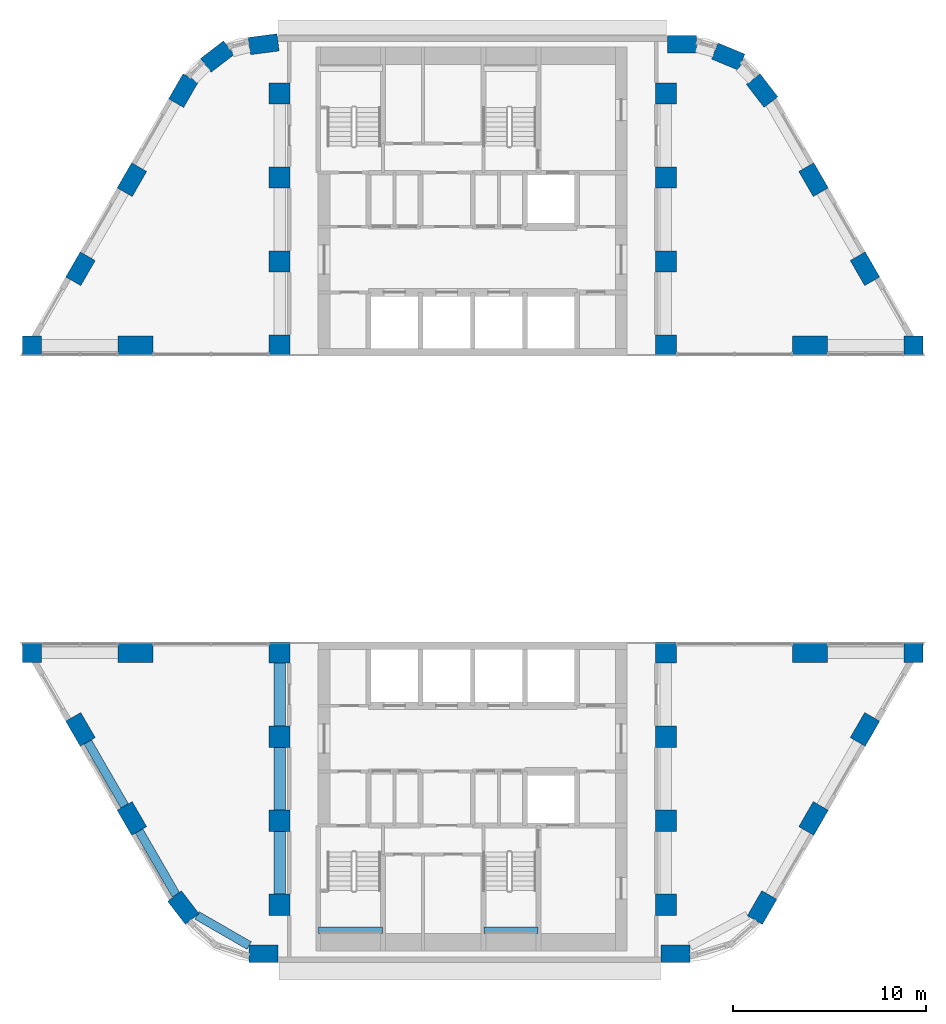
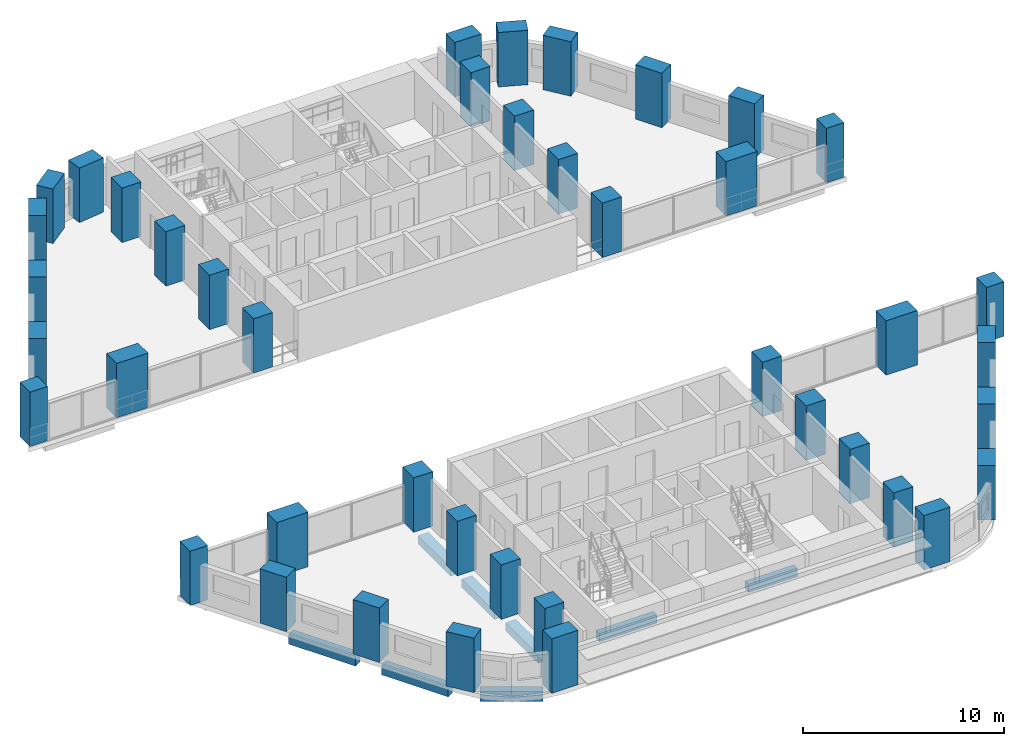
# One storey, part 1 of 11: 42 columns, 8 beams.
"""IFC4 building model written with IfcOpenShell, lengths in metres."""

from ifc_helpers import new_model, si_unit, direction, frame, origin, origin_2d, place, context, subcontext, project, spatial, rectangle, extrude, material, material_profile, profile_set, type_object, element, save


model = new_model("IFC4")

# Units and contexts
model_context = context("Model", 3, precision=1e-05, world=origin(), true_north=direction((0.0, 1.0)))
body_context = subcontext(model_context, "Body", "Model", "MODEL_VIEW")
ifc_project = project(units=[si_unit("LENGTHUNIT", "METRE"), si_unit("AREAUNIT", "SQUARE_METRE"), si_unit("VOLUMEUNIT", "CUBIC_METRE"), si_unit("PLANEANGLEUNIT", "RADIAN"), si_unit("MASSUNIT", "GRAM", prefix="KILO")], contexts=[model_context])

# Site, building, storey
site_placement = place(None, origin())
site = spatial("IfcSite", under=ifc_project, at=site_placement, CompositionType="ELEMENT")
building_placement = place(site_placement, origin())
building = spatial("IfcBuilding", under=site, at=building_placement, Name="Nakaniwa Court", CompositionType="ELEMENT")
storey_placement = place(building_placement, frame((0.0, 0.0, 34.800048828125)))
storey = spatial("IfcBuildingStorey", under=building, at=storey_placement, Name="L08", CompositionType="ELEMENT", Elevation=34.800048828125)

# Columns
ifc_material_1 = material(Name="Concrete C100/115", Category="concrete")
ifc_material_profile_1 = material_profile(ifc_material_1, rectangle(XDim=1.0, YDim=1.0, at=origin_2d()), Name="Concrete C100/115 RC 1000x1000 portal edge column")
ifc_profile_set_1 = profile_set([ifc_material_profile_1], Name="Concrete C100/115")
column_type_1 = type_object("IfcColumnType", Name="Concrete C100/115 RC 1000x1000 portal edge column", PredefinedType="COLUMN", material=ifc_profile_set_1)
for number, where, z_axis, x_axis, name in (
    (1, (102.822998046875, 87.949951171875, 0.0), (0.0, 0.0, 1.0), (1.0, 0.0, 0.0), "COLUMN CP-03"),
    (2, (102.822998046875, 72.050048828125, 0.0), (0.0, 0.0, 1.0), (1.0, 0.0, 0.0), "COLUMN CP-04"),
    (3, (57.177001953125, 87.949951171875, 0.0), (0.0, 0.0, 1.0), (1.0, 0.0, 0.0), "COLUMN CP-11"),
    (4, (57.177001953125, 72.050048828125, 0.0), (0.0, 0.0, 1.0), (1.0, 0.0, 0.0), "COLUMN CP-12"),
):
    element("IfcColumn", number, at=place(storey_placement, frame(where, z_axis=z_axis, x_axis=x_axis)), inside=storey, type_object=column_type_1, Name=name, PredefinedType="COLUMN", context=body_context, shape_type="SweptSolid", body=[
        extrude(rectangle(XDim=1.0, YDim=1.0, at=origin_2d()), origin(), (0.0, 0.0, 1.0), 3.300048828125),
    ])
ifc_material_profile_2 = material_profile(ifc_material_1, rectangle(XDim=1.10009765625, YDim=1.10009765625, at=origin_2d()), Name="Concrete C100/115 RC 1100x1100 spine column")
ifc_profile_set_2 = profile_set([ifc_material_profile_2], Name="Concrete C100/115")
column_type_2 = type_object("IfcColumnType", Name="Concrete C100/115 RC 1100x1100 spine column", PredefinedType="COLUMN", material=ifc_profile_set_2)
for number, where, z_axis, x_axis, name in (
    (5, (90.0, 59.0, 0.0), (0.0, 0.0, 1.0), (0.0, 1.0, 0.0), "COLUMN CS-01"),
    (6, (90.0, 63.35009765625, 0.0), (0.0, 0.0, 1.0), (0.0, 1.0, 0.0), "COLUMN CS-02"),
    (7, (90.0, 67.699951171875, 0.0), (0.0, 0.0, 1.0), (0.0, 1.0, 0.0), "COLUMN CS-03"),
    (8, (90.0, 72.050048828125, 0.0), (0.0, 0.0, 1.0), (0.0, 1.0, 0.0), "COLUMN CS-04"),
    (9, (90.0, 87.949951171875, 0.0), (0.0, 0.0, 1.0), (0.0, 1.0, 0.0), "COLUMN CS-07"),
    (10, (90.0, 92.300048828125, 0.0), (0.0, 0.0, 1.0), (0.0, 1.0, 0.0), "COLUMN CS-08"),
    (11, (90.0, 96.64990234375, 0.0), (0.0, 0.0, 1.0), (0.0, 1.0, 0.0), "COLUMN CS-09"),
    (12, (90.0, 101.0, 0.0), (0.0, 0.0, 1.0), (0.0, 1.0, 0.0), "COLUMN CS-10"),
    (13, (70.0, 101.0, 0.0), (0.0, 0.0, 1.0), (0.0, -1.0, 0.0), "COLUMN CS-11"),
    (14, (70.0, 96.64990234375, 0.0), (0.0, 0.0, 1.0), (0.0, -1.0, 0.0), "COLUMN CS-12"),
    (15, (70.0, 92.300048828125, 0.0), (0.0, 0.0, 1.0), (0.0, -1.0, 0.0), "COLUMN CS-13"),
    (16, (70.0, 87.949951171875, 0.0), (0.0, 0.0, 1.0), (0.0, -1.0, 0.0), "COLUMN CS-14"),
    (17, (70.0, 72.050048828125, 0.0), (0.0, 0.0, 1.0), (0.0, -1.0, 0.0), "COLUMN CS-17"),
    (18, (70.0, 67.699951171875, 0.0), (0.0, 0.0, 1.0), (0.0, -1.0, 0.0), "COLUMN CS-18"),
    (19, (70.0, 63.35009765625, 0.0), (0.0, 0.0, 1.0), (0.0, -1.0, 0.0), "COLUMN CS-19"),
    (20, (70.0, 59.0, 0.0), (0.0, 0.0, 1.0), (0.0, -1.0, 0.0), "COLUMN CS-20"),
):
    element("IfcColumn", number, at=place(storey_placement, frame(where, z_axis=z_axis, x_axis=x_axis)), inside=storey, type_object=column_type_2, Name=name, PredefinedType="COLUMN", context=body_context, shape_type="SweptSolid", body=[
        extrude(rectangle(XDim=1.10009765625, YDim=1.10009765625, at=origin_2d()), origin(), (0.0, 0.0, 1.0), 3.300048828125),
    ])
ifc_material_profile_3 = material_profile(ifc_material_1, rectangle(XDim=1.5, YDim=0.89990234375, at=origin_2d()), Name="Concrete C100/115 RC 1500x900 perimeter column")
ifc_profile_set_3 = profile_set([ifc_material_profile_3], Name="Concrete C100/115")
column_type_3 = type_object("IfcColumnType", Name="Concrete C100/115 RC 1500x900 perimeter column", PredefinedType="COLUMN", material=ifc_profile_set_3)
for number, where, z_axis, x_axis, name in (
    (21, (69.17529296875, 103.550048828125, 0.0), (0.0, 0.0, 1.0), (-0.991442583111, -0.130543496177, 0.0), "COLUMN CO-01"),
    (22, (66.772705078125, 102.91015625, 0.0), (0.0, 0.0, 1.0), (-0.793363965062, -0.608747582288, 0.0), "COLUMN CO-02"),
    (23, (65.017578125, 101.1494140625, 0.0), (0.0, 0.0, 1.0), (-0.5, -0.866025403784, 0.0), "COLUMN CO-03"),
    (24, (62.3544921875, 96.537109375, 0.0), (0.0, 0.0, 1.0), (-0.5, -0.866025403784, 0.0), "COLUMN CO-04"),
    (25, (59.691650390625, 91.9248046875, 0.0), (0.0, 0.0, 1.0), (-0.5, -0.866025403784, 0.0), "COLUMN CO-05"),
    (26, (59.691650390625, 68.0751953125, 0.0), (0.0, 0.0, 1.0), (0.5, -0.866025403784, 0.0), "COLUMN CO-14"),
    (27, (62.3544921875, 63.462890625, 0.0), (0.0, 0.0, 1.0), (0.5, -0.866025403784, 0.0), "COLUMN CO-15"),
    (28, (65.017578125, 58.8505859375, 0.0), (0.0, 0.0, 1.0), (0.608761429009, -0.793353340291, 0.0), "COLUMN CO-16"),
    (29, (69.17529296875, 56.449951171875, 0.0), (0.0, 0.0, 1.0), (1.0, 0.0, 0.0), "COLUMN CO-17"),
    (30, (90.507080078125, 56.449951171875, 0.0), (0.0, 0.0, 1.0), (1.0, 0.0, 0.0), "COLUMN CO-21"),
    (31, (94.982421875, 58.8505859375, 0.0), (0.0, 0.0, 1.0), (0.5, 0.866025403784, 0.0), "COLUMN CO-22"),
    (32, (97.6455078125, 63.462890625, 0.0), (0.0, 0.0, 1.0), (0.5, 0.866025403784, 0.0), "COLUMN CO-23"),
    (33, (100.308349609375, 68.0751953125, 0.0), (0.0, 0.0, 1.0), (0.5, 0.866025403784, 0.0), "COLUMN CO-24"),
    (34, (100.308349609375, 91.9248046875, 0.0), (0.0, 0.0, 1.0), (-0.5, 0.866025403784, 0.0), "COLUMN CO-33"),
    (35, (97.6455078125, 96.537109375, 0.0), (0.0, 0.0, 1.0), (-0.5, 0.866025403784, 0.0), "COLUMN CO-34"),
    (36, (94.982421875, 101.1494140625, 0.0), (0.0, 0.0, 1.0), (-0.608761429009, 0.793353340291, 0.0), "COLUMN CO-35"),
    (37, (93.227294921875, 102.91015625, 0.0), (0.0, 0.0, 1.0), (-0.923879532511, 0.382683432365, 0.0), "COLUMN CO-36"),
    (38, (90.82470703125, 103.550048828125, 0.0), (0.0, 0.0, 1.0), (-1.0, 0.0, 0.0), "COLUMN CO-37"),
):
    element("IfcColumn", number, at=place(storey_placement, frame(where, z_axis=z_axis, x_axis=x_axis)), inside=storey, type_object=column_type_3, Name=name, PredefinedType="COLUMN", context=body_context, shape_type="SweptSolid", body=[
        extrude(rectangle(XDim=1.5, YDim=0.89990234375, at=origin_2d()), origin(), (0.0, 0.0, 1.0), 3.300048828125),
    ])
ifc_material_profile_4 = material_profile(ifc_material_1, rectangle(XDim=1.800048828125, YDim=1.0, at=origin_2d()), Name="Concrete C100/115 RC 1800x1000 portal edge column")
ifc_profile_set_4 = profile_set([ifc_material_profile_4], Name="Concrete C100/115")
column_type_4 = type_object("IfcColumnType", Name="Concrete C100/115 RC 1800x1000 portal edge column", PredefinedType="COLUMN", material=ifc_profile_set_4)
for number, where, z_axis, x_axis, name in (
    (39, (97.4580078125, 87.949951171875, 0.0), (0.0, 0.0, 1.0), (1.0, 0.0, 0.0), "COLUMN CP-01"),
    (40, (97.4580078125, 72.050048828125, 0.0), (0.0, 0.0, 1.0), (1.0, 0.0, 0.0), "COLUMN CP-02"),
    (41, (62.5419921875, 87.949951171875, 0.0), (0.0, 0.0, 1.0), (1.0, 0.0, 0.0), "COLUMN CP-09"),
    (42, (62.5419921875, 72.050048828125, 0.0), (0.0, 0.0, 1.0), (1.0, 0.0, 0.0), "COLUMN CP-10"),
):
    element("IfcColumn", number, at=place(storey_placement, frame(where, z_axis=z_axis, x_axis=x_axis)), inside=storey, type_object=column_type_4, Name=name, PredefinedType="COLUMN", context=body_context, shape_type="SweptSolid", body=[
        extrude(rectangle(XDim=1.800048828125, YDim=1.0, at=origin_2d()), origin(), (0.0, 0.0, 1.0), 3.300048828125),
    ])

# Beams
ifc_material_profile_5 = material_profile(ifc_material_1, rectangle(XDim=0.449951171875, YDim=0.60009765625, at=origin_2d()), Name="Concrete C100/115 RC 450x600 spandrel beam")
ifc_profile_set_5 = profile_set([ifc_material_profile_5], Name="Concrete C100/115")
beam_type_1 = type_object("IfcBeamType", Name="Concrete C100/115 RC 450x600 spandrel beam", PredefinedType="BEAM", material=ifc_profile_set_5)
beam_1_placement = place(storey_placement, frame((60.066650390625, 67.42578125, -0.574951171875), z_axis=(0.499961815444, -0.866047448526, 0.0), x_axis=(0.866047448526, 0.499961815444, 0.0)))
element("IfcBeam", 43, at=beam_1_placement, inside=storey, type_object=beam_type_1, Name="SPANDREL BEAM", PredefinedType="BEAM", context=body_context, shape_type="SweptSolid", body=[
    extrude(rectangle(XDim=0.449951171875, YDim=0.60009765625, at=origin_2d()), origin(), (0.0, 0.0, 1.0), 3.825927734375),
])
beam_2_placement = place(storey_placement, frame((62.7294921875, 62.8134765625, -0.574951171875), z_axis=(0.500023067617, -0.86601208528, 0.0), x_axis=(0.86601208528, 0.500023067617, 0.0)))
element("IfcBeam", 44, at=beam_2_placement, inside=storey, type_object=beam_type_1, Name="SPANDREL BEAM", PredefinedType="BEAM", context=body_context, shape_type="SweptSolid", body=[
    extrude(rectangle(XDim=0.449951171875, YDim=0.60009765625, at=origin_2d()), origin(), (0.0, 0.0, 1.0), 3.819580078125),
])
beam_3_placement = place(storey_placement, frame((65.720458984375, 58.444580078125, -0.574951171875), z_axis=(0.866041096587, -0.499972818284, 0.0), x_axis=(0.499972818284, 0.866041096587, 0.0)))
element("IfcBeam", 45, at=beam_3_placement, inside=storey, type_object=beam_type_1, Name="SPANDREL BEAM", PredefinedType="BEAM", context=body_context, shape_type="SweptSolid", body=[
    extrude(rectangle(XDim=0.449951171875, YDim=0.60009765625, at=origin_2d()), origin(), (0.0, 0.0, 1.0), 3.123291015625),
])
ifc_material_profile_6 = material_profile(ifc_material_1, rectangle(XDim=0.60009765625, YDim=0.5, at=origin_2d()), Name="Concrete C100/115 RC 600x500 ring beam")
ifc_profile_set_6 = profile_set([ifc_material_profile_6], Name="Concrete C100/115")
beam_type_2 = type_object("IfcBeamType", Name="Concrete C100/115 RC 600x500 ring beam", PredefinedType="BEAM", material=ifc_profile_set_6)
for number, where, z_axis, x_axis, name in (
    (46, (70.0, 71.5, -0.525146484375), (0.0, -1.0, 0.0), (1.0, 0.0, 0.0), "RING BEAM"),
    (47, (70.0, 67.14990234375, -0.525146484375), (0.0, -1.0, 0.0), (1.0, 0.0, 0.0), "RING BEAM"),
    (48, (70.0, 62.800048828125, -0.525146484375), (0.0, -1.0, 0.0), (1.0, 0.0, 0.0), "RING BEAM"),
):
    element("IfcBeam", number, at=place(storey_placement, frame(where, z_axis=z_axis, x_axis=x_axis)), inside=storey, type_object=beam_type_2, Name=name, PredefinedType="BEAM", context=body_context, shape_type="SweptSolid", body=[
        extrude(rectangle(XDim=0.60009765625, YDim=0.5, at=origin_2d()), origin(), (0.0, 0.0, 1.0), 3.25),
    ])
ifc_material_2 = material(Name="Concrete C80/100", Category="concrete")
ifc_material_profile_7 = material_profile(ifc_material_2, rectangle(XDim=0.35009765625, YDim=0.5, at=origin_2d()), Name="Concrete C80/100 RC 350x500 landing ledge beam")
ifc_profile_set_7 = profile_set([ifc_material_profile_7], Name="Concrete C80/100")
beam_type_3 = type_object("IfcBeamType", Name="Concrete C80/100 RC 350x500 landing ledge beam", PredefinedType="BEAM", material=ifc_profile_set_7)
beam_4_placement = place(storey_placement, frame((72.02490234375, 57.675048828125, 1.199951171875), z_axis=(1.0, 0.0, 0.0), x_axis=(0.0, 1.0, 0.0)))
element("IfcBeam", 49, at=beam_4_placement, inside=storey, type_object=beam_type_3, Name="LANDING LEDGE BEAM", PredefinedType="BEAM", context=body_context, shape_type="SweptSolid", body=[
    extrude(rectangle(XDim=0.35009765625, YDim=0.5, at=origin_2d()), origin(), (0.0, 0.0, 1.0), 3.300048828125),
])
beam_5_placement = place(storey_placement, frame((80.574951171875, 57.675048828125, 1.199951171875), z_axis=(1.0, 0.0, 0.0), x_axis=(0.0, 1.0, 0.0)))
element("IfcBeam", 50, at=beam_5_placement, inside=storey, type_object=beam_type_3, Name="LANDING LEDGE BEAM", PredefinedType="BEAM", context=body_context, shape_type="SweptSolid", body=[
    extrude(rectangle(XDim=0.35009765625, YDim=0.5, at=origin_2d()), origin(), (0.0, 0.0, 1.0), 2.800048828125),
])

save(model, "model.ifc")
